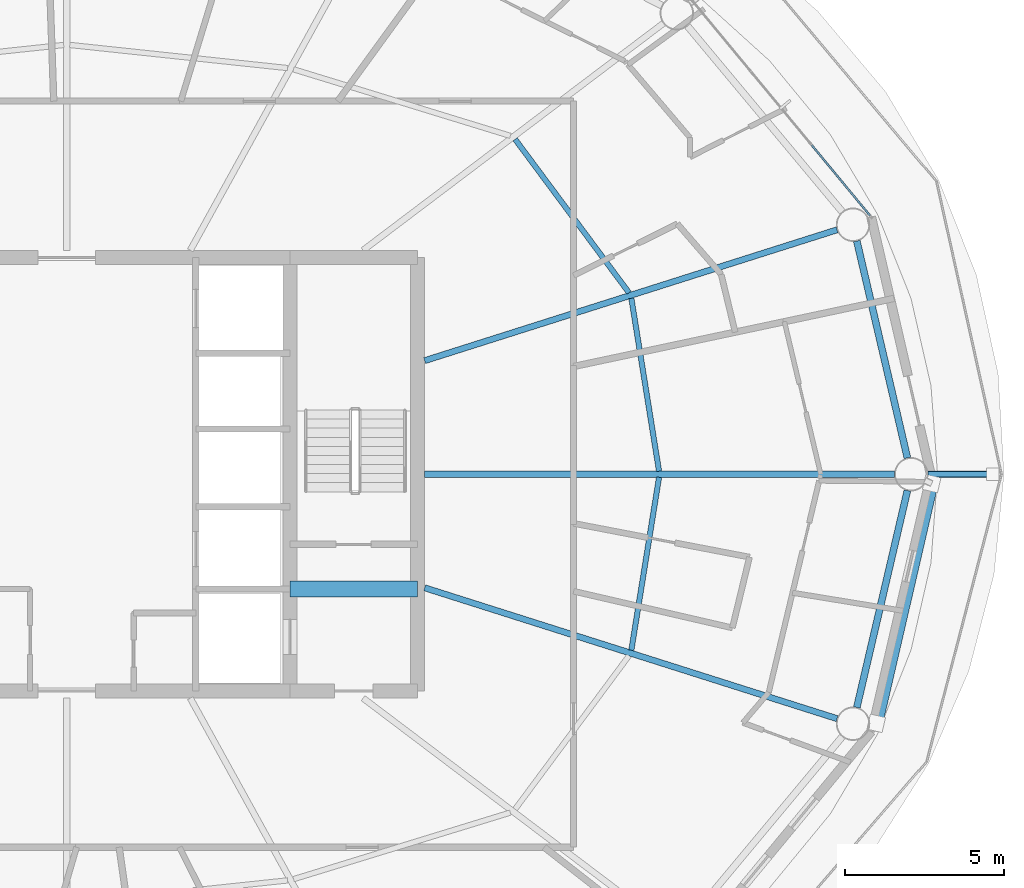
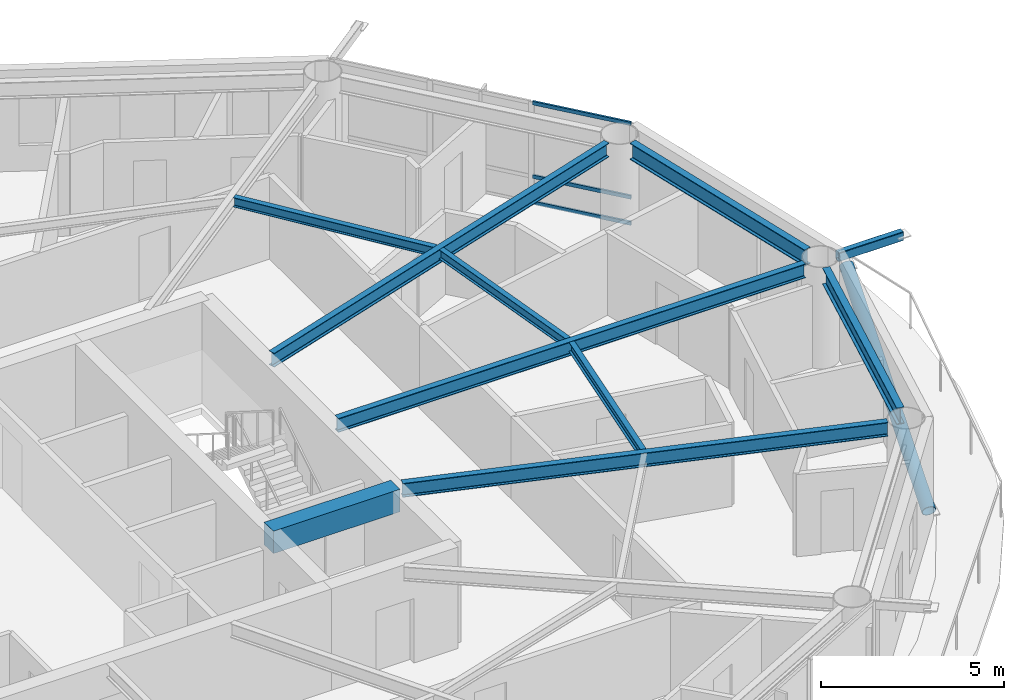
# One storey, part 8 of 30: 9 beams, 5 members, 1 element without a shape of its own.
"""IFC4 building model written with IfcOpenShell, lengths in metres."""

from ifc_helpers import new_model, si_unit, direction, frame, origin, origin_2d, place, context, subcontext, project, spatial, rectangle, hollow_rectangle, hollow_circle, i_section, extrude, material, layer, layer_set, material_profile, profile_set, type_object, element, aggregate, save


model = new_model("IFC4")

# Units and contexts
model_context = context("Model", 3, precision=1e-05, world=origin(), true_north=direction((0.0, 1.0)))
body_context = subcontext(model_context, "Body", "Model", "MODEL_VIEW")
ifc_project = project(units=[si_unit("LENGTHUNIT", "METRE"), si_unit("AREAUNIT", "SQUARE_METRE"), si_unit("VOLUMEUNIT", "CUBIC_METRE"), si_unit("PLANEANGLEUNIT", "RADIAN"), si_unit("MASSUNIT", "GRAM", prefix="KILO")], contexts=[model_context])

# Site, building, storey
site_placement = place(None, origin())
site = spatial("IfcSite", under=ifc_project, at=site_placement, CompositionType="ELEMENT")
building_placement = place(site_placement, origin())
building = spatial("IfcBuilding", under=site, at=building_placement, Name="Sarneth Arch Tower", CompositionType="ELEMENT")
storey_placement = place(building_placement, frame((0.0, 0.0, 161.39990234375)))
storey = spatial("IfcBuildingStorey", under=building, at=storey_placement, Name="L40", CompositionType="ELEMENT", Elevation=161.39990234375)

# Beams
ifc_material_1 = material(Name="Steel S355", Category="steel")
ifc_material_profile_1 = material_profile(ifc_material_1, i_section(OverallWidth=0.1669921875, OverallDepth=0.31689453125, WebThickness=0.007568359375, FlangeThickness=0.01318359375, FilletRadius=0.012939453125, at=origin_2d()), Name="W310x52")
ifc_profile_set_1 = profile_set([ifc_material_profile_1], Name="Steel S355")
beam_type_1 = type_object("IfcBeamType", Name="BM-JOIST-310B", PredefinedType="JOIST", material=ifc_profile_set_1)
beam_1_placement = place(storey_placement, frame((66.578125, 42.09521484375, 3.2216796875), z_axis=(-0.158262632389, 0.987397052451, 0.0), x_axis=(-0.987397052451, -0.158262632389, 0.0)))
element("IfcBeam", 1, at=beam_1_placement, inside=storey, type_object=beam_type_1, Name="L40 Secondary floor joist 01", PredefinedType="JOIST", context=body_context, shape_type="SweptSolid", body=[
    extrude(i_section(OverallWidth=0.1669921875, OverallDepth=0.31689453125, WebThickness=0.007568359375, FlangeThickness=0.01318359375, FilletRadius=0.012939453125, at=origin_2d()), origin(), (0.0, 0.0, 1.0), 5.493408203125),
])
beam_2_placement = place(storey_placement, frame((65.6357421875, 47.692138671875, 3.2216796875), z_axis=(-0.595933334016, 0.803033910497, 0.0), x_axis=(-0.803033910497, -0.595933334016, 0.0)))
element("IfcBeam", 2, at=beam_2_placement, inside=storey, type_object=beam_type_1, Name="L40 Secondary floor joist 02", PredefinedType="JOIST", context=body_context, shape_type="SweptSolid", body=[
    extrude(i_section(OverallWidth=0.1669921875, OverallDepth=0.31689453125, WebThickness=0.007568359375, FlangeThickness=0.01318359375, FilletRadius=0.012939453125, at=origin_2d()), origin(), (0.0, 0.0, 1.0), 5.99560546875),
])
beam_3_placement = place(storey_placement, frame((65.708740234375, 36.480712890625, 3.2216796875), z_axis=(0.158262632389, 0.987397052451, 0.0), x_axis=(-0.987397052451, 0.158262632389, 0.0)))
element("IfcBeam", 3, at=beam_3_placement, inside=storey, type_object=beam_type_1, Name="L40 Secondary floor joist 16", PredefinedType="JOIST", context=body_context, shape_type="SweptSolid", body=[
    extrude(i_section(OverallWidth=0.1669921875, OverallDepth=0.31689453125, WebThickness=0.007568359375, FlangeThickness=0.01318359375, FilletRadius=0.012939453125, at=origin_2d()), origin(), (0.0, 0.0, 1.0), 5.493408203125),
])
ifc_material_2 = material(Name="Concrete C50/60", Category="concrete")
ifc_material_profile_2 = material_profile(ifc_material_2, rectangle(XDim=0.5, YDim=0.75, at=origin_2d()), Name="RC-500x750")
ifc_profile_set_2 = profile_set([ifc_material_profile_2], Name="Concrete C50/60")
beam_type_2 = type_object("IfcBeamType", Name="BM-LINTEL-RC", PredefinedType="LINTEL", material=ifc_profile_set_2)
beam_4_placement = place(storey_placement, frame((55.0, 38.39990234375, 3.005126953125), z_axis=(1.0, 0.0, 0.0), x_axis=(0.0, 1.0, 0.0)))
element("IfcBeam", 4, at=beam_4_placement, inside=storey, type_object=beam_type_2, Name="L40 Core coupling lintel E", PredefinedType="LINTEL", context=body_context, shape_type="SweptSolid", body=[
    extrude(rectangle(XDim=0.5, YDim=0.75, at=origin_2d()), origin(), (0.0, 0.0, 1.0), 4.0),
])
ifc_material_3 = material(Name="Steel S355", Category="steel")
ifc_material_profile_3 = material_profile(ifc_material_3, i_section(OverallWidth=0.193115234375, OverallDepth=0.466064453125, WebThickness=0.011474609375, FlangeThickness=0.01904296875, FilletRadius=0.01806640625, at=origin_2d()), Name="W460x97")
ifc_profile_set_3 = profile_set([ifc_material_profile_3], Name="Steel S355")
beam_type_3 = type_object("IfcBeamType", Name="BM-RAD-460C", PredefinedType="BEAM", material=ifc_profile_set_3)
beam_5_placement = place(storey_placement, frame((59.22509765625, 42.0, 3.147216796875), z_axis=(1.0, 0.0, 0.0), x_axis=(0.0, 1.0, 0.0)))
element("IfcBeam", 5, at=beam_5_placement, inside=storey, type_object=beam_type_3, Name="L40 Radial floor girder 01", PredefinedType="BEAM", context=body_context, shape_type="SweptSolid", body=[
    extrude(i_section(OverallWidth=0.193115234375, OverallDepth=0.466064453125, WebThickness=0.011474609375, FlangeThickness=0.01904296875, FilletRadius=0.01806640625, at=origin_2d()), origin(), (0.0, 0.0, 1.0), 14.73681640625),
])
for number, where, z_axis, x_axis, name in (
    (6, (59.22509765625, 45.56201171875, 3.147216796875), (0.953163620049, 0.302455142815, 0.0), (-0.302455142815, 0.953163620049, 0.0), "L40 Radial floor girder 02"),
    (7, (59.22509765625, 38.43798828125, 3.147216796875), (0.953163620049, -0.302455142815, 0.0), (0.302455142815, 0.953163620049, 0.0), "L40 Radial floor girder 16"),
):
    element("IfcBeam", number, at=place(storey_placement, frame(where, z_axis=z_axis, x_axis=x_axis)), inside=storey, type_object=beam_type_3, Name=name, PredefinedType="BEAM", context=body_context, shape_type="SweptSolid", body=[
        extrude(i_section(OverallWidth=0.193115234375, OverallDepth=0.466064453125, WebThickness=0.011474609375, FlangeThickness=0.01904296875, FilletRadius=0.01806640625, at=origin_2d()), origin(), (0.0, 0.0, 1.0), 13.572265625),
    ])
ifc_material_4 = material(Name="Steel S355", Category="steel")
ifc_material_profile_4 = material_profile(ifc_material_4, i_section(OverallWidth=0.214111328125, OverallDepth=0.549072265625, WebThickness=0.0146484375, FlangeThickness=0.023681640625, FilletRadius=0.01806640625, at=origin_2d()), Name="W530x138")
ifc_profile_set_4 = profile_set([ifc_material_profile_4], Name="Steel S355")
beam_type_4 = type_object("IfcBeamType", Name="BM-RAD-530A", PredefinedType="BEAM", material=ifc_profile_set_4)
for number, where, z_axis, x_axis, name in (
    (8, (74.36767578125, 42.51123046875, 3.105712890625), (-0.22708709918, 0.973874452579, 0.0), (-0.973874452579, -0.22708709918, 0.0), "L40 Perimeter spandrel beam 01"),
    (9, (72.78125, 34.685302734375, 3.105712890625), (0.22708709918, 0.973874452579, 0.0), (-0.973874452579, 0.22708709918, 0.0), "L40 Perimeter spandrel beam 16"),
):
    element("IfcBeam", number, at=place(storey_placement, frame(where, z_axis=z_axis, x_axis=x_axis)), inside=storey, type_object=beam_type_4, Name=name, PredefinedType="BEAM", context=body_context, shape_type="SweptSolid", body=[
        extrude(i_section(OverallWidth=0.214111328125, OverallDepth=0.549072265625, WebThickness=0.0146484375, FlangeThickness=0.023681640625, FilletRadius=0.01806640625, at=origin_2d()), origin(), (0.0, 0.0, 1.0), 6.986083984375),
    ])

# Curtain wall, members
ifc_material_5 = material(Name="Anodised aluminium Type AA25 and solar-control low-e laminated IGU", Category="aluminium")
ifc_layer = layer(ifc_material_5, 0.169921875)
ifc_layer_set = layer_set([ifc_layer], Name="Anodised aluminium Type AA25 and solar-control low-e laminated IGU")
curtain_wall_type = type_object("IfcCurtainWallType", Name="CW-RES-MID", PredefinedType="NOTDEFINED", material=ifc_layer_set)
curtain_wall_placement = place(storey_placement, origin())
curtain_wall = element("IfcCurtainWall", 10, at=curtain_wall_placement, inside=storey, type_object=curtain_wall_type, Name="L40 Unitised curtain wall facet 02", PredefinedType="NOTDEFINED")
ifc_material_6 = material(Name="Anodised Aluminium 6063-T6", Category="aluminium")
ifc_material_profile_5 = material_profile(ifc_material_6, hollow_rectangle(XDim=0.06005859375, YDim=0.1201171875, WallThickness=0.00390625, at=origin_2d()), Name="AL-TRAN-120x60x4")
ifc_profile_set_5 = profile_set([ifc_material_profile_5], Name="Anodised Aluminium 6063-T6")
member_type_1 = type_object("IfcMemberType", Name="CW-TRANSOM", PredefinedType="USERDEFINED", material=ifc_profile_set_5)
member_1_placement = place(storey_placement, frame((73.194091796875, 50.11328125, 0.030029296875), z_axis=(-0.637358651504, 0.770567290607, 0.0), x_axis=(-0.770567290607, -0.637358651504, 0.0)))
member_1 = element("IfcMember", 11, at=member_1_placement, type_object=member_type_1, Name="CW-SYS-5 transom 1.1", ObjectType="TRANSOM", PredefinedType="USERDEFINED", context=body_context, shape_type="SweptSolid", body=[
    extrude(hollow_rectangle(XDim=0.06005859375, YDim=0.1201171875, WallThickness=0.00390625, at=origin_2d()), origin(), (0.0, 0.0, 1.0), 2.8681640625),
])
member_2_placement = place(storey_placement, frame((73.194091796875, 50.11328125, 0.900146484375), z_axis=(-0.637358651504, 0.770567290607, 0.0), x_axis=(-0.770567290607, -0.637358651504, 0.0)))
member_2 = element("IfcMember", 12, at=member_2_placement, type_object=member_type_1, Name="CW-SYS-5 transom 1.2", ObjectType="TRANSOM", PredefinedType="USERDEFINED", context=body_context, shape_type="SweptSolid", body=[
    extrude(hollow_rectangle(XDim=0.06005859375, YDim=0.1201171875, WallThickness=0.00390625, at=origin_2d()), origin(), (0.0, 0.0, 1.0), 2.8681640625),
])
member_3_placement = place(storey_placement, frame((73.194091796875, 50.11328125, 3.35009765625), z_axis=(-0.637358651504, 0.770567290607, 0.0), x_axis=(-0.770567290607, -0.637358651504, 0.0)))
member_3 = element("IfcMember", 13, at=member_3_placement, type_object=member_type_1, Name="CW-SYS-5 transom 1.3", ObjectType="TRANSOM", PredefinedType="USERDEFINED", context=body_context, shape_type="SweptSolid", body=[
    extrude(hollow_rectangle(XDim=0.06005859375, YDim=0.1201171875, WallThickness=0.00390625, at=origin_2d()), origin(), (0.0, 0.0, 1.0), 2.8681640625),
])
aggregate(curtain_wall, [member_1, member_2, member_3])

# Members
ifc_material_7 = material(Name="Steel S355", Category="steel")
ifc_material_profile_6 = material_profile(ifc_material_7, hollow_rectangle(XDim=0.199951171875, YDim=0.300048828125, WallThickness=0.012451171875, InnerFilletRadius=0.018798828125, OuterFilletRadius=0.03125, at=origin_2d()), Name="RHS300x200x12.5")
ifc_profile_set_6 = profile_set([ifc_material_profile_6], Name="Steel S355")
member_type_2 = type_object("IfcMemberType", Name="MEM-CANT-STRUT", PredefinedType="STRUT", material=ifc_profile_set_6)
member_4_placement = place(storey_placement, frame((75.011962890625, 42.0, 3.22021484375), z_axis=(1.0, 0.0, 0.0), x_axis=(0.0, 1.0, 0.0)))
element("IfcMember", 14, at=member_4_placement, inside=storey, type_object=member_type_2, Name="L40 Balcony cantilever bracket 01", PredefinedType="STRUT", context=body_context, shape_type="SweptSolid", body=[
    extrude(hollow_rectangle(XDim=0.199951171875, YDim=0.300048828125, WallThickness=0.012451171875, InnerFilletRadius=0.018798828125, OuterFilletRadius=0.03125, at=origin_2d()), origin(), (0.0, 0.0, 1.0), 2.033935546875),
])
ifc_material_8 = material(Name="Steel S355", Category="steel")
ifc_material_profile_7 = material_profile(ifc_material_8, hollow_circle(Radius=0.202880859375, WallThickness=0.01611328125, at=origin_2d()), Name="CHS406x16")
ifc_profile_set_7 = profile_set([ifc_material_profile_7], Name="Steel S355")
member_type_3 = type_object("IfcMemberType", Name="MEM-DIAG-BR2", PredefinedType="BRACE", material=ifc_profile_set_7)
member_5_placement = place(storey_placement, frame((73.390380859375, 34.18701171875, 0.02001953125), z_axis=(0.209644021591, 0.906906907052, 0.365471265838), x_axis=(-0.974306903917, 0.225224459107, 0.0)))
element("IfcMember", 15, at=member_5_placement, inside=storey, type_object=member_type_3, Name="L40 Perimeter frame diagonal 16", PredefinedType="BRACE", context=body_context, shape_type="SweptSolid", body=[
    extrude(hollow_circle(Radius=0.202880859375, WallThickness=0.01611328125, at=origin_2d()), origin(), (0.0, 0.0, 1.0), 8.292724609375),
])

save(model, "model.ifc")
